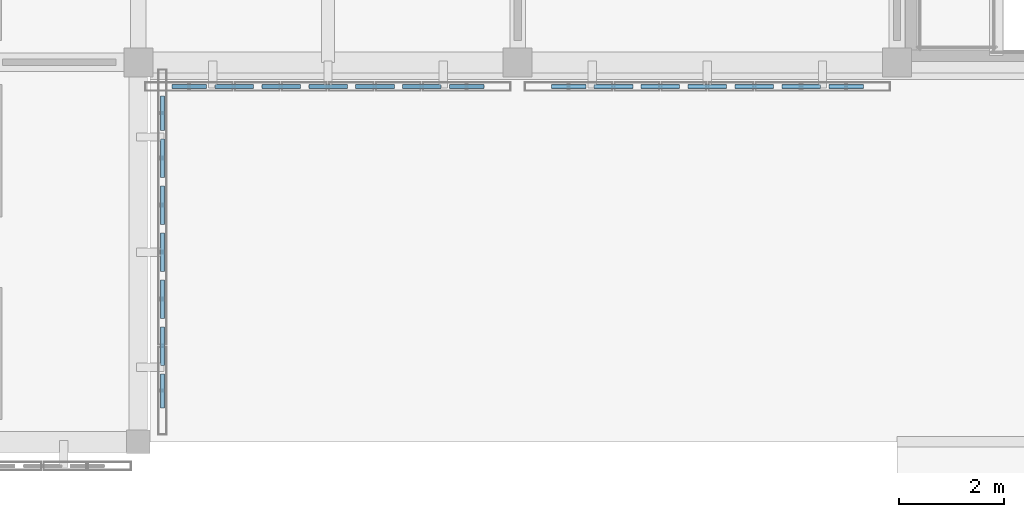
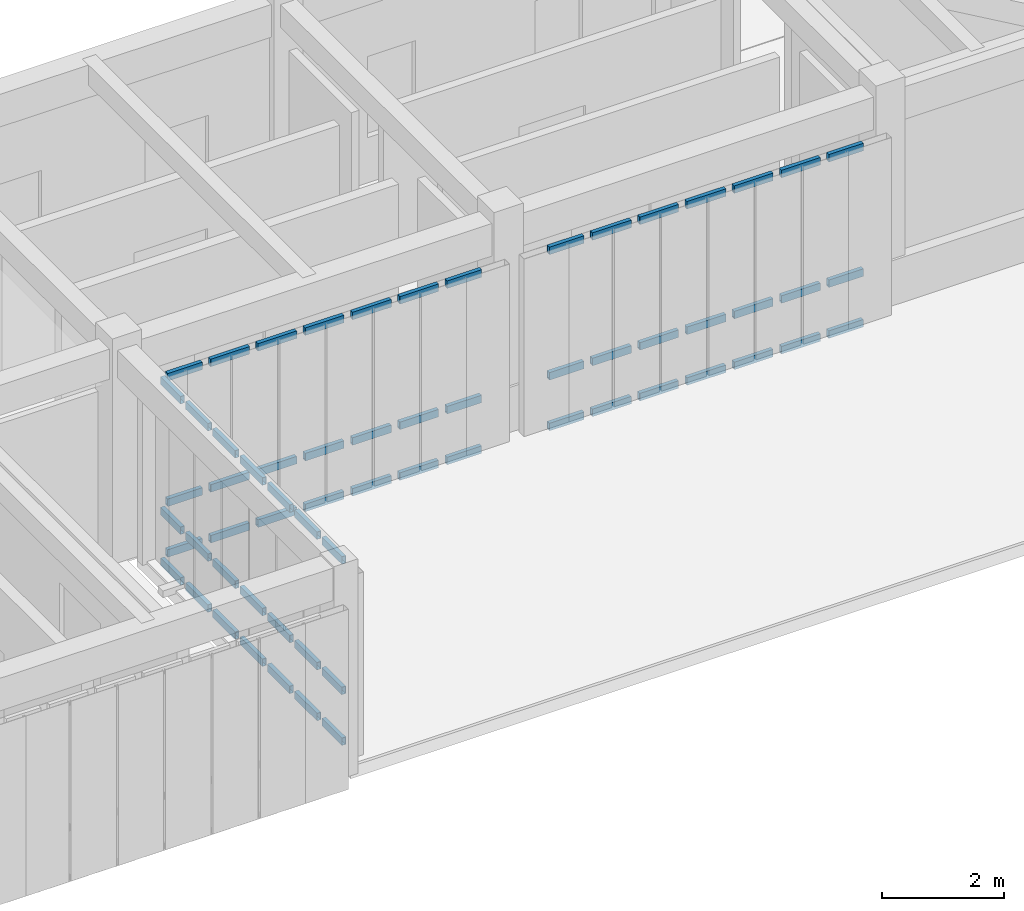
# One storey, part 33 of 91: 63 members, 3 elements without a shape of their own.
"""IFC4 building model written with IfcOpenShell, lengths in metres."""

from ifc_helpers import new_model, si_unit, direction, frame, origin, origin_2d, place, context, subcontext, project, spatial, hollow_rectangle, extrude, material, material_profile, profile_set, type_object, element, aggregate, save


model = new_model("IFC4")

# Units and contexts
model_context = context("Model", 3, precision=1e-05, world=origin(), true_north=direction((0.0, 1.0)))
body_context = subcontext(model_context, "Body", "Model", "MODEL_VIEW")
ifc_project = project(units=[si_unit("LENGTHUNIT", "METRE"), si_unit("AREAUNIT", "SQUARE_METRE"), si_unit("VOLUMEUNIT", "CUBIC_METRE"), si_unit("PLANEANGLEUNIT", "RADIAN"), si_unit("MASSUNIT", "GRAM", prefix="KILO")], contexts=[model_context])

# Site, building, storey
site_placement = place(None, origin())
site = spatial("IfcSite", under=ifc_project, at=site_placement, CompositionType="ELEMENT")
building_placement = place(site_placement, origin())
building = spatial("IfcBuilding", under=site, at=building_placement, Name="Aldebral Square Health Centre", CompositionType="ELEMENT")
storey_placement = place(building_placement, frame((0.0, 0.0, 9.0)))
storey = spatial("IfcBuildingStorey", under=building, at=storey_placement, Name="L02", CompositionType="ELEMENT", Elevation=9.0)

# Curtain wall, members
ifc_material_1 = material(Name="Aluminium and low-E solar glass", Category="aluminium")
curtain_wall_type = type_object("IfcCurtainWallType", Name="CW-FIN-SYS", PredefinedType="USERDEFINED", material=ifc_material_1)
curtain_wall_1_placement = place(storey_placement, origin())
curtain_wall_1 = element("IfcCurtainWall", 1, at=curtain_wall_1_placement, inside=storey, type_object=curtain_wall_type, Name="L02 V5 finned curtain wall L02-V5-19-07-E", ObjectType="SOLAR_CURTAIN_WALL", PredefinedType="USERDEFINED")
ifc_material_2 = material(Name="Anodised aluminium transom", Category="aluminium")
ifc_material_profile = material_profile(ifc_material_2, hollow_rectangle(XDim=0.074951171875, YDim=0.14990234375, WallThickness=0.00390625, at=origin_2d()), Name="CWT 75x150x4")
ifc_profile_set = profile_set([ifc_material_profile], Name="Anodised aluminium transom")
member_type = type_object("IfcMemberType", Name="CWT-STD", PredefinedType="USERDEFINED", material=ifc_profile_set)
member_1_placement = place(storey_placement, frame((144.4599609375, 51.0400390625, 0.03759765625), z_axis=(0.0, 1.0, 0.0), x_axis=(-1.0, 0.0, 0.0)))
member_1 = element("IfcMember", 2, at=member_1_placement, type_object=member_type, Name="CW1 transom 1.1", ObjectType="TRANSOM", PredefinedType="USERDEFINED", context=body_context, shape_type="SweptSolid", body=[
    extrude(hollow_rectangle(XDim=0.074951171875, YDim=0.14990234375, WallThickness=0.00390625, at=origin_2d()), origin(), (0.0, 0.0, 1.0), 0.6513671875),
])
member_2_placement = place(storey_placement, frame((144.4599609375, 51.0400390625, 1.050048828125), z_axis=(0.0, 1.0, 0.0), x_axis=(-1.0, 0.0, 0.0)))
member_2 = element("IfcMember", 3, at=member_2_placement, type_object=member_type, Name="CW1 transom 1.2", ObjectType="TRANSOM", PredefinedType="USERDEFINED", context=body_context, shape_type="SweptSolid", body=[
    extrude(hollow_rectangle(XDim=0.074951171875, YDim=0.14990234375, WallThickness=0.00390625, at=origin_2d()), origin(), (0.0, 0.0, 1.0), 0.6513671875),
])
member_3_placement = place(storey_placement, frame((144.4599609375, 51.0400390625, 3.652587890625), z_axis=(0.0, 1.0, 0.0), x_axis=(-1.0, 0.0, 0.0)))
member_3 = element("IfcMember", 4, at=member_3_placement, type_object=member_type, Name="CW1 transom 1.3", ObjectType="TRANSOM", PredefinedType="USERDEFINED", context=body_context, shape_type="SweptSolid", body=[
    extrude(hollow_rectangle(XDim=0.074951171875, YDim=0.14990234375, WallThickness=0.00390625, at=origin_2d()), origin(), (0.0, 0.0, 1.0), 0.6513671875),
])
member_4_placement = place(storey_placement, frame((144.4599609375, 51.851318359375, 0.03759765625), z_axis=(0.0, 1.0, 0.0), x_axis=(-1.0, 0.0, 0.0)))
member_4 = element("IfcMember", 5, at=member_4_placement, type_object=member_type, Name="CW1 transom 2.1", ObjectType="TRANSOM", PredefinedType="USERDEFINED", context=body_context, shape_type="SweptSolid", body=[
    extrude(hollow_rectangle(XDim=0.074951171875, YDim=0.14990234375, WallThickness=0.00390625, at=origin_2d()), origin(), (0.0, 0.0, 1.0), 0.7314453125),
])
member_5_placement = place(storey_placement, frame((144.4599609375, 51.851318359375, 1.050048828125), z_axis=(0.0, 1.0, 0.0), x_axis=(-1.0, 0.0, 0.0)))
member_5 = element("IfcMember", 6, at=member_5_placement, type_object=member_type, Name="CW1 transom 2.2", ObjectType="TRANSOM", PredefinedType="USERDEFINED", context=body_context, shape_type="SweptSolid", body=[
    extrude(hollow_rectangle(XDim=0.074951171875, YDim=0.14990234375, WallThickness=0.00390625, at=origin_2d()), origin(), (0.0, 0.0, 1.0), 0.7314453125),
])
member_6_placement = place(storey_placement, frame((144.4599609375, 51.851318359375, 3.652587890625), z_axis=(0.0, 1.0, 0.0), x_axis=(-1.0, 0.0, 0.0)))
member_6 = element("IfcMember", 7, at=member_6_placement, type_object=member_type, Name="CW1 transom 2.3", ObjectType="TRANSOM", PredefinedType="USERDEFINED", context=body_context, shape_type="SweptSolid", body=[
    extrude(hollow_rectangle(XDim=0.074951171875, YDim=0.14990234375, WallThickness=0.00390625, at=origin_2d()), origin(), (0.0, 0.0, 1.0), 0.7314453125),
])
member_7_placement = place(storey_placement, frame((144.4599609375, 52.742919921875, 0.03759765625), z_axis=(0.0, 1.0, 0.0), x_axis=(-1.0, 0.0, 0.0)))
member_7 = element("IfcMember", 8, at=member_7_placement, type_object=member_type, Name="CW1 transom 3.1", ObjectType="TRANSOM", PredefinedType="USERDEFINED", context=body_context, shape_type="SweptSolid", body=[
    extrude(hollow_rectangle(XDim=0.074951171875, YDim=0.14990234375, WallThickness=0.00390625, at=origin_2d()), origin(), (0.0, 0.0, 1.0), 0.7314453125),
])
member_8_placement = place(storey_placement, frame((144.4599609375, 52.742919921875, 1.050048828125), z_axis=(0.0, 1.0, 0.0), x_axis=(-1.0, 0.0, 0.0)))
member_8 = element("IfcMember", 9, at=member_8_placement, type_object=member_type, Name="CW1 transom 3.2", ObjectType="TRANSOM", PredefinedType="USERDEFINED", context=body_context, shape_type="SweptSolid", body=[
    extrude(hollow_rectangle(XDim=0.074951171875, YDim=0.14990234375, WallThickness=0.00390625, at=origin_2d()), origin(), (0.0, 0.0, 1.0), 0.7314453125),
])
member_9_placement = place(storey_placement, frame((144.4599609375, 52.742919921875, 3.652587890625), z_axis=(0.0, 1.0, 0.0), x_axis=(-1.0, 0.0, 0.0)))
member_9 = element("IfcMember", 10, at=member_9_placement, type_object=member_type, Name="CW1 transom 3.3", ObjectType="TRANSOM", PredefinedType="USERDEFINED", context=body_context, shape_type="SweptSolid", body=[
    extrude(hollow_rectangle(XDim=0.074951171875, YDim=0.14990234375, WallThickness=0.00390625, at=origin_2d()), origin(), (0.0, 0.0, 1.0), 0.7314453125),
])
member_10_placement = place(storey_placement, frame((144.4599609375, 53.63427734375, 0.03759765625), z_axis=(0.0, 1.0, 0.0), x_axis=(-1.0, 0.0, 0.0)))
member_10 = element("IfcMember", 11, at=member_10_placement, type_object=member_type, Name="CW1 transom 4.1", ObjectType="TRANSOM", PredefinedType="USERDEFINED", context=body_context, shape_type="SweptSolid", body=[
    extrude(hollow_rectangle(XDim=0.074951171875, YDim=0.14990234375, WallThickness=0.00390625, at=origin_2d()), origin(), (0.0, 0.0, 1.0), 0.7314453125),
])
member_11_placement = place(storey_placement, frame((144.4599609375, 53.63427734375, 1.050048828125), z_axis=(0.0, 1.0, 0.0), x_axis=(-1.0, 0.0, 0.0)))
member_11 = element("IfcMember", 12, at=member_11_placement, type_object=member_type, Name="CW1 transom 4.2", ObjectType="TRANSOM", PredefinedType="USERDEFINED", context=body_context, shape_type="SweptSolid", body=[
    extrude(hollow_rectangle(XDim=0.074951171875, YDim=0.14990234375, WallThickness=0.00390625, at=origin_2d()), origin(), (0.0, 0.0, 1.0), 0.7314453125),
])
member_12_placement = place(storey_placement, frame((144.4599609375, 53.63427734375, 3.652587890625), z_axis=(0.0, 1.0, 0.0), x_axis=(-1.0, 0.0, 0.0)))
member_12 = element("IfcMember", 13, at=member_12_placement, type_object=member_type, Name="CW1 transom 4.3", ObjectType="TRANSOM", PredefinedType="USERDEFINED", context=body_context, shape_type="SweptSolid", body=[
    extrude(hollow_rectangle(XDim=0.074951171875, YDim=0.14990234375, WallThickness=0.00390625, at=origin_2d()), origin(), (0.0, 0.0, 1.0), 0.7314453125),
])
member_13_placement = place(storey_placement, frame((144.4599609375, 54.525634765625, 0.03759765625), z_axis=(0.0, 1.0, 0.0), x_axis=(-1.0, 0.0, 0.0)))
member_13 = element("IfcMember", 14, at=member_13_placement, type_object=member_type, Name="CW1 transom 5.1", ObjectType="TRANSOM", PredefinedType="USERDEFINED", context=body_context, shape_type="SweptSolid", body=[
    extrude(hollow_rectangle(XDim=0.074951171875, YDim=0.14990234375, WallThickness=0.00390625, at=origin_2d()), origin(), (0.0, 0.0, 1.0), 0.7314453125),
])
member_14_placement = place(storey_placement, frame((144.4599609375, 54.525634765625, 1.050048828125), z_axis=(0.0, 1.0, 0.0), x_axis=(-1.0, 0.0, 0.0)))
member_14 = element("IfcMember", 15, at=member_14_placement, type_object=member_type, Name="CW1 transom 5.2", ObjectType="TRANSOM", PredefinedType="USERDEFINED", context=body_context, shape_type="SweptSolid", body=[
    extrude(hollow_rectangle(XDim=0.074951171875, YDim=0.14990234375, WallThickness=0.00390625, at=origin_2d()), origin(), (0.0, 0.0, 1.0), 0.7314453125),
])
member_15_placement = place(storey_placement, frame((144.4599609375, 54.525634765625, 3.652587890625), z_axis=(0.0, 1.0, 0.0), x_axis=(-1.0, 0.0, 0.0)))
member_15 = element("IfcMember", 16, at=member_15_placement, type_object=member_type, Name="CW1 transom 5.3", ObjectType="TRANSOM", PredefinedType="USERDEFINED", context=body_context, shape_type="SweptSolid", body=[
    extrude(hollow_rectangle(XDim=0.074951171875, YDim=0.14990234375, WallThickness=0.00390625, at=origin_2d()), origin(), (0.0, 0.0, 1.0), 0.7314453125),
])
member_16_placement = place(storey_placement, frame((144.4599609375, 55.417236328125, 0.03759765625), z_axis=(0.0, 1.0, 0.0), x_axis=(-1.0, 0.0, 0.0)))
member_16 = element("IfcMember", 17, at=member_16_placement, type_object=member_type, Name="CW1 transom 6.1", ObjectType="TRANSOM", PredefinedType="USERDEFINED", context=body_context, shape_type="SweptSolid", body=[
    extrude(hollow_rectangle(XDim=0.074951171875, YDim=0.14990234375, WallThickness=0.00390625, at=origin_2d()), origin(), (0.0, 0.0, 1.0), 0.7314453125),
])
member_17_placement = place(storey_placement, frame((144.4599609375, 55.417236328125, 1.050048828125), z_axis=(0.0, 1.0, 0.0), x_axis=(-1.0, 0.0, 0.0)))
member_17 = element("IfcMember", 18, at=member_17_placement, type_object=member_type, Name="CW1 transom 6.2", ObjectType="TRANSOM", PredefinedType="USERDEFINED", context=body_context, shape_type="SweptSolid", body=[
    extrude(hollow_rectangle(XDim=0.074951171875, YDim=0.14990234375, WallThickness=0.00390625, at=origin_2d()), origin(), (0.0, 0.0, 1.0), 0.7314453125),
])
member_18_placement = place(storey_placement, frame((144.4599609375, 55.417236328125, 3.652587890625), z_axis=(0.0, 1.0, 0.0), x_axis=(-1.0, 0.0, 0.0)))
member_18 = element("IfcMember", 19, at=member_18_placement, type_object=member_type, Name="CW1 transom 6.3", ObjectType="TRANSOM", PredefinedType="USERDEFINED", context=body_context, shape_type="SweptSolid", body=[
    extrude(hollow_rectangle(XDim=0.074951171875, YDim=0.14990234375, WallThickness=0.00390625, at=origin_2d()), origin(), (0.0, 0.0, 1.0), 0.7314453125),
])
member_19_placement = place(storey_placement, frame((144.4599609375, 56.30859375, 0.03759765625), z_axis=(0.0, 1.0, 0.0), x_axis=(-1.0, 0.0, 0.0)))
member_19 = element("IfcMember", 20, at=member_19_placement, type_object=member_type, Name="CW1 transom 7.1", ObjectType="TRANSOM", PredefinedType="USERDEFINED", context=body_context, shape_type="SweptSolid", body=[
    extrude(hollow_rectangle(XDim=0.074951171875, YDim=0.14990234375, WallThickness=0.00390625, at=origin_2d()), origin(), (0.0, 0.0, 1.0), 0.6513671875),
])
member_20_placement = place(storey_placement, frame((144.4599609375, 56.30859375, 1.050048828125), z_axis=(0.0, 1.0, 0.0), x_axis=(-1.0, 0.0, 0.0)))
member_20 = element("IfcMember", 21, at=member_20_placement, type_object=member_type, Name="CW1 transom 7.2", ObjectType="TRANSOM", PredefinedType="USERDEFINED", context=body_context, shape_type="SweptSolid", body=[
    extrude(hollow_rectangle(XDim=0.074951171875, YDim=0.14990234375, WallThickness=0.00390625, at=origin_2d()), origin(), (0.0, 0.0, 1.0), 0.6513671875),
])
member_21_placement = place(storey_placement, frame((144.4599609375, 56.30859375, 3.652587890625), z_axis=(0.0, 1.0, 0.0), x_axis=(-1.0, 0.0, 0.0)))
member_21 = element("IfcMember", 22, at=member_21_placement, type_object=member_type, Name="CW1 transom 7.3", ObjectType="TRANSOM", PredefinedType="USERDEFINED", context=body_context, shape_type="SweptSolid", body=[
    extrude(hollow_rectangle(XDim=0.074951171875, YDim=0.14990234375, WallThickness=0.00390625, at=origin_2d()), origin(), (0.0, 0.0, 1.0), 0.6513671875),
])
aggregate(curtain_wall_1, [member_1, member_2, member_3, member_4, member_5, member_6, member_7, member_8, member_9, member_10, member_11, member_12, member_13, member_14, member_15, member_16, member_17, member_18, member_19, member_20, member_21])

curtain_wall_2_placement = place(storey_placement, origin())
curtain_wall_2 = element("IfcCurtainWall", 23, at=curtain_wall_2_placement, inside=storey, type_object=curtain_wall_type, Name="L02 V5 finned curtain wall L02-V5-20-08-S", ObjectType="SOLAR_CURTAIN_WALL", PredefinedType="USERDEFINED")
member_22_placement = place(storey_placement, frame((144.639892578125, 57.139892578125, 0.03759765625), z_axis=(1.0, 0.0, 0.0), x_axis=(0.0, 1.0, 0.0)))
member_22 = element("IfcMember", 24, at=member_22_placement, type_object=member_type, Name="CW1 transom 1.1", ObjectType="TRANSOM", PredefinedType="USERDEFINED", context=body_context, shape_type="SweptSolid", body=[
    extrude(hollow_rectangle(XDim=0.074951171875, YDim=0.14990234375, WallThickness=0.00390625, at=origin_2d()), origin(), (0.0, 0.0, 1.0), 0.651611328125),
])
member_23_placement = place(storey_placement, frame((144.639892578125, 57.139892578125, 1.050048828125), z_axis=(1.0, 0.0, 0.0), x_axis=(0.0, 1.0, 0.0)))
member_23 = element("IfcMember", 25, at=member_23_placement, type_object=member_type, Name="CW1 transom 1.2", ObjectType="TRANSOM", PredefinedType="USERDEFINED", context=body_context, shape_type="SweptSolid", body=[
    extrude(hollow_rectangle(XDim=0.074951171875, YDim=0.14990234375, WallThickness=0.00390625, at=origin_2d()), origin(), (0.0, 0.0, 1.0), 0.651611328125),
])
member_24_placement = place(storey_placement, frame((144.639892578125, 57.139892578125, 3.552490234375), z_axis=(1.0, 0.0, 0.0), x_axis=(0.0, 1.0, 0.0)))
member_24 = element("IfcMember", 26, at=member_24_placement, type_object=member_type, Name="CW1 transom 1.3", ObjectType="TRANSOM", PredefinedType="USERDEFINED", context=body_context, shape_type="SweptSolid", body=[
    extrude(hollow_rectangle(XDim=0.074951171875, YDim=0.14990234375, WallThickness=0.00390625, at=origin_2d()), origin(), (0.0, 0.0, 1.0), 0.651611328125),
])
member_25_placement = place(storey_placement, frame((145.451416015625, 57.139892578125, 0.03759765625), z_axis=(1.0, 0.0, 0.0), x_axis=(0.0, 1.0, 0.0)))
member_25 = element("IfcMember", 27, at=member_25_placement, type_object=member_type, Name="CW1 transom 2.1", ObjectType="TRANSOM", PredefinedType="USERDEFINED", context=body_context, shape_type="SweptSolid", body=[
    extrude(hollow_rectangle(XDim=0.074951171875, YDim=0.14990234375, WallThickness=0.00390625, at=origin_2d()), origin(), (0.0, 0.0, 1.0), 0.7314453125),
])
member_26_placement = place(storey_placement, frame((145.451416015625, 57.139892578125, 1.050048828125), z_axis=(1.0, 0.0, 0.0), x_axis=(0.0, 1.0, 0.0)))
member_26 = element("IfcMember", 28, at=member_26_placement, type_object=member_type, Name="CW1 transom 2.2", ObjectType="TRANSOM", PredefinedType="USERDEFINED", context=body_context, shape_type="SweptSolid", body=[
    extrude(hollow_rectangle(XDim=0.074951171875, YDim=0.14990234375, WallThickness=0.00390625, at=origin_2d()), origin(), (0.0, 0.0, 1.0), 0.7314453125),
])
member_27_placement = place(storey_placement, frame((145.451416015625, 57.139892578125, 3.552490234375), z_axis=(1.0, 0.0, 0.0), x_axis=(0.0, 1.0, 0.0)))
member_27 = element("IfcMember", 29, at=member_27_placement, type_object=member_type, Name="CW1 transom 2.3", ObjectType="TRANSOM", PredefinedType="USERDEFINED", context=body_context, shape_type="SweptSolid", body=[
    extrude(hollow_rectangle(XDim=0.074951171875, YDim=0.14990234375, WallThickness=0.00390625, at=origin_2d()), origin(), (0.0, 0.0, 1.0), 0.7314453125),
])
member_28_placement = place(storey_placement, frame((146.3427734375, 57.139892578125, 0.03759765625), z_axis=(1.0, 0.0, 0.0), x_axis=(0.0, 1.0, 0.0)))
member_28 = element("IfcMember", 30, at=member_28_placement, type_object=member_type, Name="CW1 transom 3.1", ObjectType="TRANSOM", PredefinedType="USERDEFINED", context=body_context, shape_type="SweptSolid", body=[
    extrude(hollow_rectangle(XDim=0.074951171875, YDim=0.14990234375, WallThickness=0.00390625, at=origin_2d()), origin(), (0.0, 0.0, 1.0), 0.7314453125),
])
member_29_placement = place(storey_placement, frame((146.3427734375, 57.139892578125, 1.050048828125), z_axis=(1.0, 0.0, 0.0), x_axis=(0.0, 1.0, 0.0)))
member_29 = element("IfcMember", 31, at=member_29_placement, type_object=member_type, Name="CW1 transom 3.2", ObjectType="TRANSOM", PredefinedType="USERDEFINED", context=body_context, shape_type="SweptSolid", body=[
    extrude(hollow_rectangle(XDim=0.074951171875, YDim=0.14990234375, WallThickness=0.00390625, at=origin_2d()), origin(), (0.0, 0.0, 1.0), 0.7314453125),
])
member_30_placement = place(storey_placement, frame((146.3427734375, 57.139892578125, 3.552490234375), z_axis=(1.0, 0.0, 0.0), x_axis=(0.0, 1.0, 0.0)))
member_30 = element("IfcMember", 32, at=member_30_placement, type_object=member_type, Name="CW1 transom 3.3", ObjectType="TRANSOM", PredefinedType="USERDEFINED", context=body_context, shape_type="SweptSolid", body=[
    extrude(hollow_rectangle(XDim=0.074951171875, YDim=0.14990234375, WallThickness=0.00390625, at=origin_2d()), origin(), (0.0, 0.0, 1.0), 0.7314453125),
])
member_31_placement = place(storey_placement, frame((147.234375, 57.139892578125, 0.03759765625), z_axis=(1.0, 0.0, 0.0), x_axis=(0.0, 1.0, 0.0)))
member_31 = element("IfcMember", 33, at=member_31_placement, type_object=member_type, Name="CW1 transom 4.1", ObjectType="TRANSOM", PredefinedType="USERDEFINED", context=body_context, shape_type="SweptSolid", body=[
    extrude(hollow_rectangle(XDim=0.074951171875, YDim=0.14990234375, WallThickness=0.00390625, at=origin_2d()), origin(), (0.0, 0.0, 1.0), 0.7314453125),
])
member_32_placement = place(storey_placement, frame((147.234375, 57.139892578125, 1.050048828125), z_axis=(1.0, 0.0, 0.0), x_axis=(0.0, 1.0, 0.0)))
member_32 = element("IfcMember", 34, at=member_32_placement, type_object=member_type, Name="CW1 transom 4.2", ObjectType="TRANSOM", PredefinedType="USERDEFINED", context=body_context, shape_type="SweptSolid", body=[
    extrude(hollow_rectangle(XDim=0.074951171875, YDim=0.14990234375, WallThickness=0.00390625, at=origin_2d()), origin(), (0.0, 0.0, 1.0), 0.7314453125),
])
member_33_placement = place(storey_placement, frame((147.234375, 57.139892578125, 3.552490234375), z_axis=(1.0, 0.0, 0.0), x_axis=(0.0, 1.0, 0.0)))
member_33 = element("IfcMember", 35, at=member_33_placement, type_object=member_type, Name="CW1 transom 4.3", ObjectType="TRANSOM", PredefinedType="USERDEFINED", context=body_context, shape_type="SweptSolid", body=[
    extrude(hollow_rectangle(XDim=0.074951171875, YDim=0.14990234375, WallThickness=0.00390625, at=origin_2d()), origin(), (0.0, 0.0, 1.0), 0.7314453125),
])
member_34_placement = place(storey_placement, frame((148.125732421875, 57.139892578125, 0.03759765625), z_axis=(1.0, 0.0, 0.0), x_axis=(0.0, 1.0, 0.0)))
member_34 = element("IfcMember", 36, at=member_34_placement, type_object=member_type, Name="CW1 transom 5.1", ObjectType="TRANSOM", PredefinedType="USERDEFINED", context=body_context, shape_type="SweptSolid", body=[
    extrude(hollow_rectangle(XDim=0.074951171875, YDim=0.14990234375, WallThickness=0.00390625, at=origin_2d()), origin(), (0.0, 0.0, 1.0), 0.7314453125),
])
member_35_placement = place(storey_placement, frame((148.125732421875, 57.139892578125, 1.050048828125), z_axis=(1.0, 0.0, 0.0), x_axis=(0.0, 1.0, 0.0)))
member_35 = element("IfcMember", 37, at=member_35_placement, type_object=member_type, Name="CW1 transom 5.2", ObjectType="TRANSOM", PredefinedType="USERDEFINED", context=body_context, shape_type="SweptSolid", body=[
    extrude(hollow_rectangle(XDim=0.074951171875, YDim=0.14990234375, WallThickness=0.00390625, at=origin_2d()), origin(), (0.0, 0.0, 1.0), 0.7314453125),
])
member_36_placement = place(storey_placement, frame((148.125732421875, 57.139892578125, 3.552490234375), z_axis=(1.0, 0.0, 0.0), x_axis=(0.0, 1.0, 0.0)))
member_36 = element("IfcMember", 38, at=member_36_placement, type_object=member_type, Name="CW1 transom 5.3", ObjectType="TRANSOM", PredefinedType="USERDEFINED", context=body_context, shape_type="SweptSolid", body=[
    extrude(hollow_rectangle(XDim=0.074951171875, YDim=0.14990234375, WallThickness=0.00390625, at=origin_2d()), origin(), (0.0, 0.0, 1.0), 0.7314453125),
])
member_37_placement = place(storey_placement, frame((149.01708984375, 57.139892578125, 0.03759765625), z_axis=(1.0, 0.0, 0.0), x_axis=(0.0, 1.0, 0.0)))
member_37 = element("IfcMember", 39, at=member_37_placement, type_object=member_type, Name="CW1 transom 6.1", ObjectType="TRANSOM", PredefinedType="USERDEFINED", context=body_context, shape_type="SweptSolid", body=[
    extrude(hollow_rectangle(XDim=0.074951171875, YDim=0.14990234375, WallThickness=0.00390625, at=origin_2d()), origin(), (0.0, 0.0, 1.0), 0.7314453125),
])
member_38_placement = place(storey_placement, frame((149.01708984375, 57.139892578125, 1.050048828125), z_axis=(1.0, 0.0, 0.0), x_axis=(0.0, 1.0, 0.0)))
member_38 = element("IfcMember", 40, at=member_38_placement, type_object=member_type, Name="CW1 transom 6.2", ObjectType="TRANSOM", PredefinedType="USERDEFINED", context=body_context, shape_type="SweptSolid", body=[
    extrude(hollow_rectangle(XDim=0.074951171875, YDim=0.14990234375, WallThickness=0.00390625, at=origin_2d()), origin(), (0.0, 0.0, 1.0), 0.7314453125),
])
member_39_placement = place(storey_placement, frame((149.01708984375, 57.139892578125, 3.552490234375), z_axis=(1.0, 0.0, 0.0), x_axis=(0.0, 1.0, 0.0)))
member_39 = element("IfcMember", 41, at=member_39_placement, type_object=member_type, Name="CW1 transom 6.3", ObjectType="TRANSOM", PredefinedType="USERDEFINED", context=body_context, shape_type="SweptSolid", body=[
    extrude(hollow_rectangle(XDim=0.074951171875, YDim=0.14990234375, WallThickness=0.00390625, at=origin_2d()), origin(), (0.0, 0.0, 1.0), 0.7314453125),
])
member_40_placement = place(storey_placement, frame((149.90869140625, 57.139892578125, 0.03759765625), z_axis=(1.0, 0.0, 0.0), x_axis=(0.0, 1.0, 0.0)))
member_40 = element("IfcMember", 42, at=member_40_placement, type_object=member_type, Name="CW1 transom 7.1", ObjectType="TRANSOM", PredefinedType="USERDEFINED", context=body_context, shape_type="SweptSolid", body=[
    extrude(hollow_rectangle(XDim=0.074951171875, YDim=0.14990234375, WallThickness=0.00390625, at=origin_2d()), origin(), (0.0, 0.0, 1.0), 0.6513671875),
])
member_41_placement = place(storey_placement, frame((149.90869140625, 57.139892578125, 1.050048828125), z_axis=(1.0, 0.0, 0.0), x_axis=(0.0, 1.0, 0.0)))
member_41 = element("IfcMember", 43, at=member_41_placement, type_object=member_type, Name="CW1 transom 7.2", ObjectType="TRANSOM", PredefinedType="USERDEFINED", context=body_context, shape_type="SweptSolid", body=[
    extrude(hollow_rectangle(XDim=0.074951171875, YDim=0.14990234375, WallThickness=0.00390625, at=origin_2d()), origin(), (0.0, 0.0, 1.0), 0.6513671875),
])
member_42_placement = place(storey_placement, frame((149.90869140625, 57.139892578125, 3.552490234375), z_axis=(1.0, 0.0, 0.0), x_axis=(0.0, 1.0, 0.0)))
member_42 = element("IfcMember", 44, at=member_42_placement, type_object=member_type, Name="CW1 transom 7.3", ObjectType="TRANSOM", PredefinedType="USERDEFINED", context=body_context, shape_type="SweptSolid", body=[
    extrude(hollow_rectangle(XDim=0.074951171875, YDim=0.14990234375, WallThickness=0.00390625, at=origin_2d()), origin(), (0.0, 0.0, 1.0), 0.6513671875),
])
aggregate(curtain_wall_2, [member_22, member_23, member_24, member_25, member_26, member_27, member_28, member_29, member_30, member_31, member_32, member_33, member_34, member_35, member_36, member_37, member_38, member_39, member_40, member_41, member_42])

curtain_wall_3_placement = place(storey_placement, origin())
curtain_wall_3 = element("IfcCurtainWall", 45, at=curtain_wall_3_placement, inside=storey, type_object=curtain_wall_type, Name="L02 V5 finned curtain wall L02-V5-21-08-S", ObjectType="SOLAR_CURTAIN_WALL", PredefinedType="USERDEFINED")
member_43_placement = place(storey_placement, frame((151.840087890625, 57.139892578125, 0.03759765625), z_axis=(1.0, 0.0, 0.0), x_axis=(0.0, 1.0, 0.0)))
member_43 = element("IfcMember", 46, at=member_43_placement, type_object=member_type, Name="CW1 transom 1.1", ObjectType="TRANSOM", PredefinedType="USERDEFINED", context=body_context, shape_type="SweptSolid", body=[
    extrude(hollow_rectangle(XDim=0.074951171875, YDim=0.14990234375, WallThickness=0.00390625, at=origin_2d()), origin(), (0.0, 0.0, 1.0), 0.6513671875),
])
member_44_placement = place(storey_placement, frame((151.840087890625, 57.139892578125, 1.050048828125), z_axis=(1.0, 0.0, 0.0), x_axis=(0.0, 1.0, 0.0)))
member_44 = element("IfcMember", 47, at=member_44_placement, type_object=member_type, Name="CW1 transom 1.2", ObjectType="TRANSOM", PredefinedType="USERDEFINED", context=body_context, shape_type="SweptSolid", body=[
    extrude(hollow_rectangle(XDim=0.074951171875, YDim=0.14990234375, WallThickness=0.00390625, at=origin_2d()), origin(), (0.0, 0.0, 1.0), 0.6513671875),
])
member_45_placement = place(storey_placement, frame((151.840087890625, 57.139892578125, 3.552490234375), z_axis=(1.0, 0.0, 0.0), x_axis=(0.0, 1.0, 0.0)))
member_45 = element("IfcMember", 48, at=member_45_placement, type_object=member_type, Name="CW1 transom 1.3", ObjectType="TRANSOM", PredefinedType="USERDEFINED", context=body_context, shape_type="SweptSolid", body=[
    extrude(hollow_rectangle(XDim=0.074951171875, YDim=0.14990234375, WallThickness=0.00390625, at=origin_2d()), origin(), (0.0, 0.0, 1.0), 0.6513671875),
])
member_46_placement = place(storey_placement, frame((152.6513671875, 57.139892578125, 0.03759765625), z_axis=(1.0, 0.0, 0.0), x_axis=(0.0, 1.0, 0.0)))
member_46 = element("IfcMember", 49, at=member_46_placement, type_object=member_type, Name="CW1 transom 2.1", ObjectType="TRANSOM", PredefinedType="USERDEFINED", context=body_context, shape_type="SweptSolid", body=[
    extrude(hollow_rectangle(XDim=0.074951171875, YDim=0.14990234375, WallThickness=0.00390625, at=origin_2d()), origin(), (0.0, 0.0, 1.0), 0.7314453125),
])
member_47_placement = place(storey_placement, frame((152.6513671875, 57.139892578125, 1.050048828125), z_axis=(1.0, 0.0, 0.0), x_axis=(0.0, 1.0, 0.0)))
member_47 = element("IfcMember", 50, at=member_47_placement, type_object=member_type, Name="CW1 transom 2.2", ObjectType="TRANSOM", PredefinedType="USERDEFINED", context=body_context, shape_type="SweptSolid", body=[
    extrude(hollow_rectangle(XDim=0.074951171875, YDim=0.14990234375, WallThickness=0.00390625, at=origin_2d()), origin(), (0.0, 0.0, 1.0), 0.7314453125),
])
member_48_placement = place(storey_placement, frame((152.6513671875, 57.139892578125, 3.552490234375), z_axis=(1.0, 0.0, 0.0), x_axis=(0.0, 1.0, 0.0)))
member_48 = element("IfcMember", 51, at=member_48_placement, type_object=member_type, Name="CW1 transom 2.3", ObjectType="TRANSOM", PredefinedType="USERDEFINED", context=body_context, shape_type="SweptSolid", body=[
    extrude(hollow_rectangle(XDim=0.074951171875, YDim=0.14990234375, WallThickness=0.00390625, at=origin_2d()), origin(), (0.0, 0.0, 1.0), 0.7314453125),
])
member_49_placement = place(storey_placement, frame((153.54296875, 57.139892578125, 0.03759765625), z_axis=(1.0, 0.0, 0.0), x_axis=(0.0, 1.0, 0.0)))
member_49 = element("IfcMember", 52, at=member_49_placement, type_object=member_type, Name="CW1 transom 3.1", ObjectType="TRANSOM", PredefinedType="USERDEFINED", context=body_context, shape_type="SweptSolid", body=[
    extrude(hollow_rectangle(XDim=0.074951171875, YDim=0.14990234375, WallThickness=0.00390625, at=origin_2d()), origin(), (0.0, 0.0, 1.0), 0.731201171875),
])
member_50_placement = place(storey_placement, frame((153.54296875, 57.139892578125, 1.050048828125), z_axis=(1.0, 0.0, 0.0), x_axis=(0.0, 1.0, 0.0)))
member_50 = element("IfcMember", 53, at=member_50_placement, type_object=member_type, Name="CW1 transom 3.2", ObjectType="TRANSOM", PredefinedType="USERDEFINED", context=body_context, shape_type="SweptSolid", body=[
    extrude(hollow_rectangle(XDim=0.074951171875, YDim=0.14990234375, WallThickness=0.00390625, at=origin_2d()), origin(), (0.0, 0.0, 1.0), 0.731201171875),
])
member_51_placement = place(storey_placement, frame((153.54296875, 57.139892578125, 3.552490234375), z_axis=(1.0, 0.0, 0.0), x_axis=(0.0, 1.0, 0.0)))
member_51 = element("IfcMember", 54, at=member_51_placement, type_object=member_type, Name="CW1 transom 3.3", ObjectType="TRANSOM", PredefinedType="USERDEFINED", context=body_context, shape_type="SweptSolid", body=[
    extrude(hollow_rectangle(XDim=0.074951171875, YDim=0.14990234375, WallThickness=0.00390625, at=origin_2d()), origin(), (0.0, 0.0, 1.0), 0.731201171875),
])
member_52_placement = place(storey_placement, frame((154.434326171875, 57.139892578125, 0.03759765625), z_axis=(1.0, 0.0, 0.0), x_axis=(0.0, 1.0, 0.0)))
member_52 = element("IfcMember", 55, at=member_52_placement, type_object=member_type, Name="CW1 transom 4.1", ObjectType="TRANSOM", PredefinedType="USERDEFINED", context=body_context, shape_type="SweptSolid", body=[
    extrude(hollow_rectangle(XDim=0.074951171875, YDim=0.14990234375, WallThickness=0.00390625, at=origin_2d()), origin(), (0.0, 0.0, 1.0), 0.7314453125),
])
member_53_placement = place(storey_placement, frame((154.434326171875, 57.139892578125, 1.050048828125), z_axis=(1.0, 0.0, 0.0), x_axis=(0.0, 1.0, 0.0)))
member_53 = element("IfcMember", 56, at=member_53_placement, type_object=member_type, Name="CW1 transom 4.2", ObjectType="TRANSOM", PredefinedType="USERDEFINED", context=body_context, shape_type="SweptSolid", body=[
    extrude(hollow_rectangle(XDim=0.074951171875, YDim=0.14990234375, WallThickness=0.00390625, at=origin_2d()), origin(), (0.0, 0.0, 1.0), 0.7314453125),
])
member_54_placement = place(storey_placement, frame((154.434326171875, 57.139892578125, 3.552490234375), z_axis=(1.0, 0.0, 0.0), x_axis=(0.0, 1.0, 0.0)))
member_54 = element("IfcMember", 57, at=member_54_placement, type_object=member_type, Name="CW1 transom 4.3", ObjectType="TRANSOM", PredefinedType="USERDEFINED", context=body_context, shape_type="SweptSolid", body=[
    extrude(hollow_rectangle(XDim=0.074951171875, YDim=0.14990234375, WallThickness=0.00390625, at=origin_2d()), origin(), (0.0, 0.0, 1.0), 0.7314453125),
])
member_55_placement = place(storey_placement, frame((155.32568359375, 57.139892578125, 0.03759765625), z_axis=(1.0, 0.0, 0.0), x_axis=(0.0, 1.0, 0.0)))
member_55 = element("IfcMember", 58, at=member_55_placement, type_object=member_type, Name="CW1 transom 5.1", ObjectType="TRANSOM", PredefinedType="USERDEFINED", context=body_context, shape_type="SweptSolid", body=[
    extrude(hollow_rectangle(XDim=0.074951171875, YDim=0.14990234375, WallThickness=0.00390625, at=origin_2d()), origin(), (0.0, 0.0, 1.0), 0.7314453125),
])
member_56_placement = place(storey_placement, frame((155.32568359375, 57.139892578125, 1.050048828125), z_axis=(1.0, 0.0, 0.0), x_axis=(0.0, 1.0, 0.0)))
member_56 = element("IfcMember", 59, at=member_56_placement, type_object=member_type, Name="CW1 transom 5.2", ObjectType="TRANSOM", PredefinedType="USERDEFINED", context=body_context, shape_type="SweptSolid", body=[
    extrude(hollow_rectangle(XDim=0.074951171875, YDim=0.14990234375, WallThickness=0.00390625, at=origin_2d()), origin(), (0.0, 0.0, 1.0), 0.7314453125),
])
member_57_placement = place(storey_placement, frame((155.32568359375, 57.139892578125, 3.552490234375), z_axis=(1.0, 0.0, 0.0), x_axis=(0.0, 1.0, 0.0)))
member_57 = element("IfcMember", 60, at=member_57_placement, type_object=member_type, Name="CW1 transom 5.3", ObjectType="TRANSOM", PredefinedType="USERDEFINED", context=body_context, shape_type="SweptSolid", body=[
    extrude(hollow_rectangle(XDim=0.074951171875, YDim=0.14990234375, WallThickness=0.00390625, at=origin_2d()), origin(), (0.0, 0.0, 1.0), 0.7314453125),
])
member_58_placement = place(storey_placement, frame((156.217041015625, 57.139892578125, 0.03759765625), z_axis=(1.0, 0.0, 0.0), x_axis=(0.0, 1.0, 0.0)))
member_58 = element("IfcMember", 61, at=member_58_placement, type_object=member_type, Name="CW1 transom 6.1", ObjectType="TRANSOM", PredefinedType="USERDEFINED", context=body_context, shape_type="SweptSolid", body=[
    extrude(hollow_rectangle(XDim=0.074951171875, YDim=0.14990234375, WallThickness=0.00390625, at=origin_2d()), origin(), (0.0, 0.0, 1.0), 0.7314453125),
])
member_59_placement = place(storey_placement, frame((156.217041015625, 57.139892578125, 1.050048828125), z_axis=(1.0, 0.0, 0.0), x_axis=(0.0, 1.0, 0.0)))
member_59 = element("IfcMember", 62, at=member_59_placement, type_object=member_type, Name="CW1 transom 6.2", ObjectType="TRANSOM", PredefinedType="USERDEFINED", context=body_context, shape_type="SweptSolid", body=[
    extrude(hollow_rectangle(XDim=0.074951171875, YDim=0.14990234375, WallThickness=0.00390625, at=origin_2d()), origin(), (0.0, 0.0, 1.0), 0.7314453125),
])
member_60_placement = place(storey_placement, frame((156.217041015625, 57.139892578125, 3.552490234375), z_axis=(1.0, 0.0, 0.0), x_axis=(0.0, 1.0, 0.0)))
member_60 = element("IfcMember", 63, at=member_60_placement, type_object=member_type, Name="CW1 transom 6.3", ObjectType="TRANSOM", PredefinedType="USERDEFINED", context=body_context, shape_type="SweptSolid", body=[
    extrude(hollow_rectangle(XDim=0.074951171875, YDim=0.14990234375, WallThickness=0.00390625, at=origin_2d()), origin(), (0.0, 0.0, 1.0), 0.7314453125),
])
member_61_placement = place(storey_placement, frame((157.108642578125, 57.139892578125, 0.03759765625), z_axis=(1.0, 0.0, 0.0), x_axis=(0.0, 1.0, 0.0)))
member_61 = element("IfcMember", 64, at=member_61_placement, type_object=member_type, Name="CW1 transom 7.1", ObjectType="TRANSOM", PredefinedType="USERDEFINED", context=body_context, shape_type="SweptSolid", body=[
    extrude(hollow_rectangle(XDim=0.074951171875, YDim=0.14990234375, WallThickness=0.00390625, at=origin_2d()), origin(), (0.0, 0.0, 1.0), 0.6513671875),
])
member_62_placement = place(storey_placement, frame((157.108642578125, 57.139892578125, 1.050048828125), z_axis=(1.0, 0.0, 0.0), x_axis=(0.0, 1.0, 0.0)))
member_62 = element("IfcMember", 65, at=member_62_placement, type_object=member_type, Name="CW1 transom 7.2", ObjectType="TRANSOM", PredefinedType="USERDEFINED", context=body_context, shape_type="SweptSolid", body=[
    extrude(hollow_rectangle(XDim=0.074951171875, YDim=0.14990234375, WallThickness=0.00390625, at=origin_2d()), origin(), (0.0, 0.0, 1.0), 0.6513671875),
])
member_63_placement = place(storey_placement, frame((157.108642578125, 57.139892578125, 3.552490234375), z_axis=(1.0, 0.0, 0.0), x_axis=(0.0, 1.0, 0.0)))
member_63 = element("IfcMember", 66, at=member_63_placement, type_object=member_type, Name="CW1 transom 7.3", ObjectType="TRANSOM", PredefinedType="USERDEFINED", context=body_context, shape_type="SweptSolid", body=[
    extrude(hollow_rectangle(XDim=0.074951171875, YDim=0.14990234375, WallThickness=0.00390625, at=origin_2d()), origin(), (0.0, 0.0, 1.0), 0.6513671875),
])
aggregate(curtain_wall_3, [member_43, member_44, member_45, member_46, member_47, member_48, member_49, member_50, member_51, member_52, member_53, member_54, member_55, member_56, member_57, member_58, member_59, member_60, member_61, member_62, member_63])

save(model, "model.ifc")
